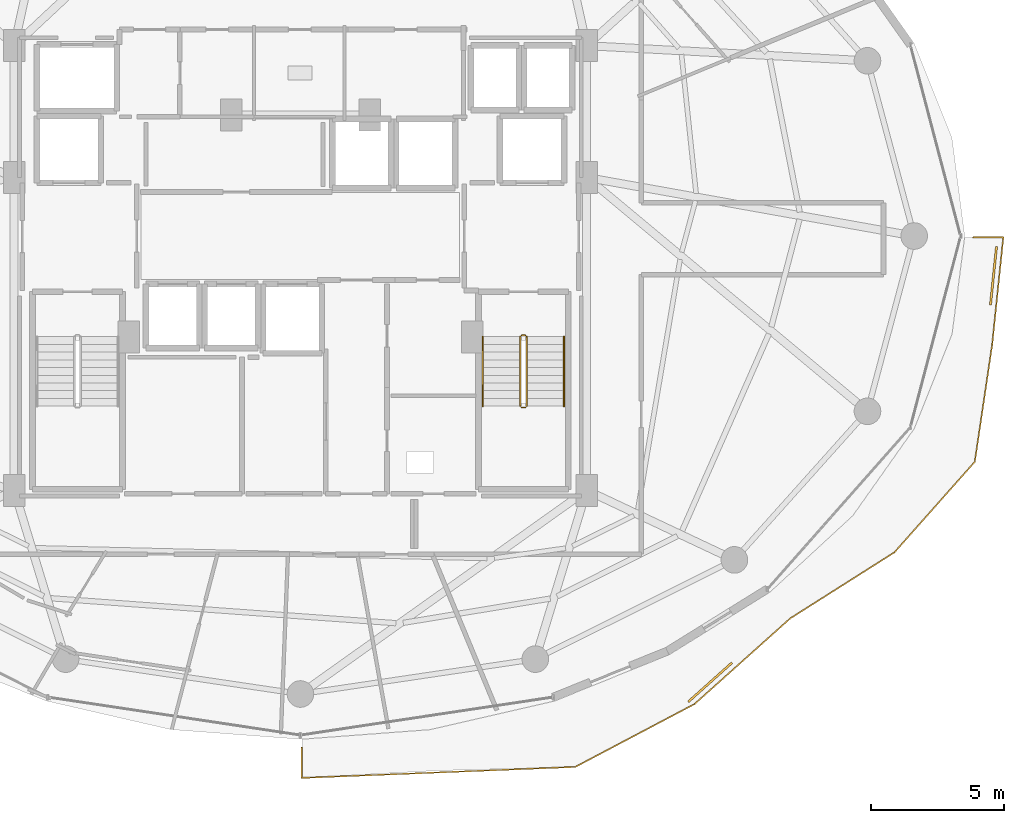
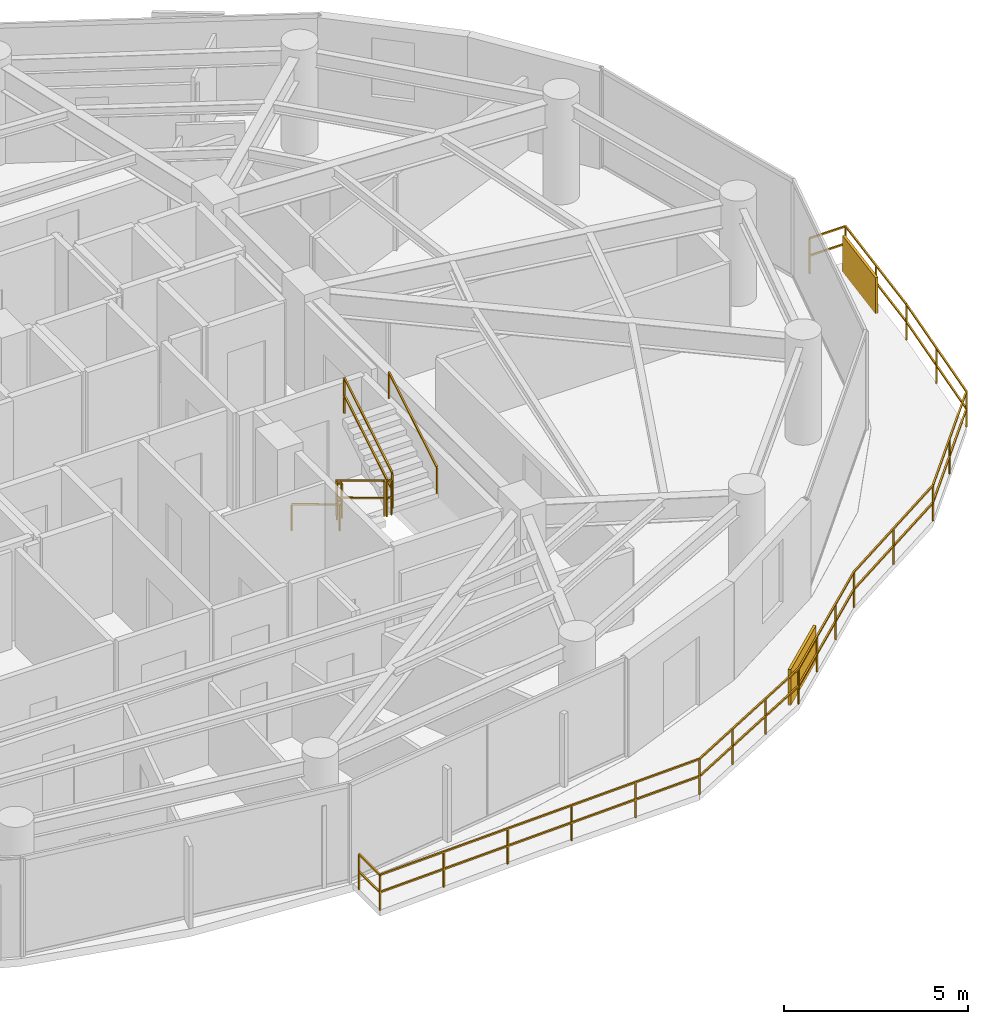
# One storey, part 27 of 29: 8 railings, 2 shading devices.
"""IFC4 building model written with IfcOpenShell, lengths in metres."""

import ifcopenshell
import ifcopenshell.guid

model = None  # the IFC model being written
_history = None  # IfcOwnerHistory: only IFC2X3 demands one
_inside = {}  # id of a spatial element -> (the spatial element, [elements in it])
_under = {}  # id of a project, library or spatial element -> (it, [spatial elements below it])
_declared = {}  # id of a project -> (the project, [libraries it declares])
_typed = {}  # id of a type object -> (the type object, [elements of that type])
_made_of = {}  # id of a material, layer set ... -> (it, [elements and type objects made of it])


def new_model(schema):
    """Start an empty IFC model of exactly this schema.

    Asked for "IFC4X3", IfcOpenShell would pick the latest addendum, in which some entities
    have other attributes; the version numbers below select the first issue.
    IFC2X3 requires an IfcOwnerHistory on every rooted entity: one is made here for all.
    """
    global model, _history
    if schema == "IFC4X3":
        model = ifcopenshell.file(schema_version=(4, 3, 0, 0))
    else:
        model = ifcopenshell.file(schema=schema)
    _inside.clear()
    _under.clear()
    _declared.clear()
    _typed.clear()
    _made_of.clear()
    _history = None
    if model.schema == "IFC2X3":
        org = make("IfcOrganization", Name="unknown")
        user = make(
            "IfcPersonAndOrganization",
            ThePerson=make("IfcPerson", FamilyName="unknown"),
            TheOrganization=org,
        )
        app = make(
            "IfcApplication",
            ApplicationDeveloper=org,
            Version="unknown",
            ApplicationFullName="unknown",
            ApplicationIdentifier="unknown",
        )
        _history = make(
            "IfcOwnerHistory",
            OwningUser=user,
            OwningApplication=app,
            ChangeAction="ADDED",
            CreationDate=0,
        )
    return model


def make(cls, **values):
    """One entity of the class cls with the attributes given. An attribute that is None is left unset."""
    return model.create_entity(
        cls, **{name: value for name, value in values.items() if value is not None}
    )


def rooted(cls, **values):
    """An entity with a GlobalId (a new one), such as an element, a storey or a relation."""
    return make(cls, GlobalId=ifcopenshell.guid.new(), OwnerHistory=_history, **values)


def si_unit(unit_type, name, prefix=None):
    """IfcSIUnit, for example si_unit("LENGTHUNIT", "METRE", prefix="MILLI")."""
    return make("IfcSIUnit", UnitType=unit_type, Prefix=prefix, Name=name)


def assignment(units):
    """IfcUnitAssignment: the units of a project."""
    return None if units is None else make("IfcUnitAssignment", Units=units)


def point(xyz):
    """IfcCartesianPoint."""
    return None if xyz is None else make("IfcCartesianPoint", Coordinates=xyz)


def direction(xyz):
    """IfcDirection."""
    return None if xyz is None else make("IfcDirection", DirectionRatios=xyz)


def frame(location, z_axis=None, x_axis=None):
    """IfcAxis2Placement3D, a coordinate frame: its origin and axes. An axis left out is left unset."""
    return make(
        "IfcAxis2Placement3D",
        Location=point(location),
        Axis=direction(z_axis),
        RefDirection=direction(x_axis),
    )


def frame_2d(location, x_axis=None):
    """IfcAxis2Placement2D, a coordinate frame in the plane: its origin and x axis."""
    return make(
        "IfcAxis2Placement2D", Location=point(location), RefDirection=direction(x_axis)
    )


def origin():
    """The frame at (0, 0, 0) with its axes left unset."""
    return frame((0.0, 0.0, 0.0))


def origin_2d():
    """The frame at (0, 0) in the plane with its x axis left unset."""
    return frame_2d((0.0, 0.0))


def place(relative_to, where):
    """IfcLocalPlacement: puts the frame where relative to a parent placement (None: the world)."""
    return make(
        "IfcLocalPlacement", PlacementRelTo=relative_to, RelativePlacement=where
    )


def context(
    kind, dimensions, precision=None, world=None, true_north=None, identifier=None
):
    """IfcGeometricRepresentationContext, for example the 3D "Model" context."""
    return make(
        "IfcGeometricRepresentationContext",
        ContextIdentifier=identifier,
        ContextType=kind,
        CoordinateSpaceDimension=dimensions,
        Precision=precision,
        WorldCoordinateSystem=world,
        TrueNorth=true_north,
    )


def subcontext(parent, identifier, kind, view, scale=None):
    """IfcGeometricRepresentationSubContext, for example "Body" below "Model"."""
    return make(
        "IfcGeometricRepresentationSubContext",
        ContextIdentifier=identifier,
        ContextType=kind,
        ParentContext=parent,
        TargetScale=scale,
        TargetView=view,
    )


def project(units=None, contexts=None):
    """IfcProject with its units and contexts."""
    return rooted(
        "IfcProject",
        Name="project",
        RepresentationContexts=contexts,
        UnitsInContext=assignment(units),
    )


def spatial(cls, under=None, at=None, **own):
    """A site, building, storey or space (cls), placed at a placement, below another one or the project."""
    s = rooted(cls, ObjectPlacement=at, **own)
    if under is not None:
        _under.setdefault(under.id(), (under, []))[1].append(s)
    return s


def profile(cls, at=None, kind="AREA", **sizes):
    """A parametric profile (cls). Its sizes go by their IFC names, for example OverallWidth=200.0."""
    return make(cls, ProfileType=kind, Position=at, **sizes)


def rectangle(**sizes):
    """IfcRectangleProfileDef."""
    return profile("IfcRectangleProfileDef", **sizes)


def extrude(swept, where, along, depth):
    """IfcExtrudedAreaSolid: the profile swept, set in the frame where, extruded along a direction by depth."""
    return make(
        "IfcExtrudedAreaSolid",
        SweptArea=swept,
        Position=where,
        ExtrudedDirection=direction(along),
        Depth=depth,
    )


def shape(context_of_items, identifier, shape_type, items):
    """IfcShapeRepresentation: the items that make up one representation, for example the "Body"."""
    return make(
        "IfcShapeRepresentation",
        ContextOfItems=context_of_items,
        RepresentationIdentifier=identifier,
        RepresentationType=shape_type,
        Items=items,
    )


def material(Name=None, Category=None):
    """IfcMaterial."""
    return make("IfcMaterial", Name=Name, Category=Category)


def made_of(thing, what):
    """Note that an element or type object is made of a material, layer set ...; save() writes the relation."""
    if what is not None:
        _made_of.setdefault(what.id(), (what, []))[1].append(thing)
    return thing


def type_object(cls, material=None, **own):
    """A type object (cls), such as IfcWallType, which elements share."""
    return made_of(rooted(cls, **own), material)


def element(
    cls,
    number,
    at=None,
    inside=None,
    cuts=None,
    type_object=None,
    material=None,
    context=None,
    identifier="Body",
    shape_type=None,
    held_by="IfcProductDefinitionShape",
    body=None,
    shapes=None,
    **own,
):
    """One element of the class cls, such as IfcWall. Its Tag is "e" and its number.

    at: its placement. inside: the storey or other place that contains it. cuts: it is an
    opening in that element (IfcRelVoidsElement). A single representation is given by context,
    identifier, shape_type and body (its items); several are given by shapes. held_by: the class
    of the entity that holds the representations. save() writes the other relations.
    """
    e = rooted(cls, Tag="e%d" % number, ObjectPlacement=at, **own)
    if body is not None:
        shapes = [shape(context, identifier, shape_type, body)]
    if shapes is not None:
        e.Representation = make(held_by, Representations=shapes)
    if inside is not None:
        _inside.setdefault(inside.id(), (inside, []))[1].append(e)
    if cuts is not None:
        rooted(
            "IfcRelVoidsElement", RelatingBuildingElement=cuts, RelatedOpeningElement=e
        )
    if type_object is not None:
        _typed.setdefault(type_object.id(), (type_object, []))[1].append(e)
    return made_of(e, material)


def aggregate(whole, parts):
    """IfcRelAggregates: a whole, such as a stair, and the parts it consists of."""
    return rooted("IfcRelAggregates", RelatingObject=whole, RelatedObjects=parts)


def save(model, path):
    """Write the relations noted so far, then the file.

    IfcRelAggregates (storeys below a building ...), IfcRelContainedInSpatialStructure (elements
    in a storey), IfcRelDefinesByType, IfcRelAssociatesMaterial and IfcRelDeclares: one each for
    every whole, place, type object, material and project.
    """
    for whole, parts in _under.values():
        aggregate(whole, parts)
    for where, things in _inside.values():
        rooted(
            "IfcRelContainedInSpatialStructure",
            RelatedElements=things,
            RelatingStructure=where,
        )
    for kind, things in _typed.values():
        rooted("IfcRelDefinesByType", RelatedObjects=things, RelatingType=kind)
    for what, things in _made_of.values():
        rooted("IfcRelAssociatesMaterial", RelatedObjects=things, RelatingMaterial=what)
    for by, libraries in _declared.values():
        rooted("IfcRelDeclares", RelatingContext=by, RelatedDefinitions=libraries)
    model.write(path)


model = new_model("IFC4")

# Units and contexts
model_context = context("Model", 3, precision=1e-05, world=origin(), true_north=direction((0.0, 1.0)))
body_context = subcontext(model_context, "Body", "Model", "MODEL_VIEW")
ifc_project = project(units=[si_unit("LENGTHUNIT", "METRE"), si_unit("AREAUNIT", "SQUARE_METRE"), si_unit("VOLUMEUNIT", "CUBIC_METRE"), si_unit("PLANEANGLEUNIT", "RADIAN"), si_unit("MASSUNIT", "GRAM", prefix="KILO")], contexts=[model_context])

# Site, building, storey
site_placement = place(None, origin())
site = spatial("IfcSite", under=ifc_project, at=site_placement, CompositionType="ELEMENT")
building_placement = place(site_placement, origin())
building = spatial("IfcBuilding", under=site, at=building_placement, Name="Vorneva Point Tower", CompositionType="ELEMENT")
storey_placement = place(building_placement, frame((0.0, 0.0, 167.60009765625)))
storey = spatial("IfcBuildingStorey", under=building, at=storey_placement, Name="L45", CompositionType="ELEMENT", Elevation=167.60009765625)

# Railings
ifc_material_1 = material(Name="Pale anodised aluminium", Category="aluminium")
railing_type_1 = type_object("IfcRailingType", Name="RL-BAL-1200", PredefinedType="BALUSTRADE", material=ifc_material_1)
railing_1_placement = place(storey_placement, frame((63.98046875, 21.916259765625, 0.0)))
element("IfcRailing", 1, at=railing_1_placement, inside=storey, type_object=railing_type_1, Name="L45 Wave Balcony Balustrade SE.1", PredefinedType="BALUSTRADE", context=body_context, shape_type="SweptSolid", body=[
    extrude(rectangle(XDim=0.048095703125, YDim=0.048095703125, at=origin_2d()), frame((0.0, 0.0, 1.17578125), z_axis=(0.103424937391, 0.994637261682, 0.0), x_axis=(-0.994637261682, 0.103424937391, 0.0)), (0.0, 0.0, 1.0), 4.055419921875),
    extrude(rectangle(XDim=0.048095703125, YDim=0.048095703125, at=origin_2d()), frame((0.0, 0.0, 0.60009765625), z_axis=(0.103424937391, 0.994637261682, 0.0), x_axis=(-0.994637261682, 0.103424937391, 0.0)), (0.0, 0.0, 1.0), 4.055419921875),
    extrude(rectangle(XDim=0.048095703125, YDim=0.048095703125, at=origin_2d()), frame((0.41943359375, 4.03369140625, 1.17578125), z_axis=(-1.0, 0.0, 0.0), x_axis=(0.0, -1.0, 0.0)), (0.0, 0.0, 1.0), 1.1337890625),
    extrude(rectangle(XDim=0.048095703125, YDim=0.048095703125, at=origin_2d()), frame((0.41943359375, 4.03369140625, 0.60009765625), z_axis=(-1.0, 0.0, 0.0), x_axis=(0.0, -1.0, 0.0)), (0.0, 0.0, 1.0), 1.1337890625),
    extrude(rectangle(XDim=0.0419921875, YDim=0.0419921875, at=origin_2d()), origin(), (0.0, 0.0, 1.0), 1.15185546875),
    extrude(rectangle(XDim=0.0419921875, YDim=0.0419921875, at=origin_2d()), frame((0.209716796875, 2.016845703125, 0.0)), (0.0, 0.0, 1.0), 1.15185546875),
    extrude(rectangle(XDim=0.0419921875, YDim=0.0419921875, at=origin_2d()), frame((0.41943359375, 4.03369140625, 0.0)), (0.0, 0.0, 1.0), 1.15185546875),
    extrude(rectangle(XDim=0.0419921875, YDim=0.0419921875, at=origin_2d()), frame((-0.71435546875, 4.03369140625, 0.0)), (0.0, 0.0, 1.0), 1.15185546875),
])
railing_2_placement = place(storey_placement, frame((38.050048828125, 6.78271484375, 0.0)))
element("IfcRailing", 2, at=railing_2_placement, inside=storey, type_object=railing_type_1, Name="L45 Wave Balcony Balustrade SE.2", PredefinedType="BALUSTRADE", context=body_context, shape_type="SweptSolid", body=[
    extrude(rectangle(XDim=0.048095703125, YDim=0.048095703125, at=origin_2d()), frame((0.0, 0.0, 1.17578125), z_axis=(0.0, -1.0, 0.0), x_axis=(1.0, 0.0, 0.0)), (0.0, 0.0, 1.0), 1.135009765625),
    extrude(rectangle(XDim=0.048095703125, YDim=0.048095703125, at=origin_2d()), frame((0.0, 0.0, 0.60009765625), z_axis=(0.0, -1.0, 0.0), x_axis=(1.0, 0.0, 0.0)), (0.0, 0.0, 1.0), 1.135009765625),
    extrude(rectangle(XDim=0.048095703125, YDim=0.048095703125, at=origin_2d()), frame((0.0, -1.135009765625, 1.17578125), z_axis=(0.999191945424, 0.040192738158, 0.0), x_axis=(-0.040192738158, 0.999191945424, 0.0)), (0.0, 0.0, 1.0), 10.28369140625),
    extrude(rectangle(XDim=0.048095703125, YDim=0.048095703125, at=origin_2d()), frame((0.0, -1.135009765625, 0.60009765625), z_axis=(0.999191945424, 0.040192738158, 0.0), x_axis=(-0.040192738158, 0.999191945424, 0.0)), (0.0, 0.0, 1.0), 10.28369140625),
    extrude(rectangle(XDim=0.048095703125, YDim=0.048095703125, at=origin_2d()), frame((10.275390625, -0.7216796875, 1.17578125), z_axis=(0.884464909332, 0.466606712512, 0.0), x_axis=(-0.466606712512, 0.884464909332, 0.0)), (0.0, 0.0, 1.0), 5.063232421875),
    extrude(rectangle(XDim=0.048095703125, YDim=0.048095703125, at=origin_2d()), frame((10.275390625, -0.7216796875, 0.60009765625), z_axis=(0.884464909332, 0.466606712512, 0.0), x_axis=(-0.466606712512, 0.884464909332, 0.0)), (0.0, 0.0, 1.0), 5.063232421875),
    extrude(rectangle(XDim=0.048095703125, YDim=0.048095703125, at=origin_2d()), frame((14.753662109375, 1.640869140625, 1.17578125), z_axis=(0.745181726232, 0.666861451045, 0.0), x_axis=(-0.666861451045, 0.745181726232, 0.0)), (0.0, 0.0, 1.0), 4.822265625),
    extrude(rectangle(XDim=0.048095703125, YDim=0.048095703125, at=origin_2d()), frame((14.753662109375, 1.640869140625, 0.60009765625), z_axis=(0.745181726232, 0.666861451045, 0.0), x_axis=(-0.666861451045, 0.745181726232, 0.0)), (0.0, 0.0, 1.0), 4.822265625),
    extrude(rectangle(XDim=0.048095703125, YDim=0.048095703125, at=origin_2d()), frame((18.34716796875, 4.856689453125, 1.17578125), z_axis=(0.844638774344, 0.535336661246, 0.0), x_axis=(-0.535336661246, 0.844638774344, 0.0)), (0.0, 0.0, 1.0), 4.632568359375),
    extrude(rectangle(XDim=0.048095703125, YDim=0.048095703125, at=origin_2d()), frame((18.34716796875, 4.856689453125, 0.60009765625), z_axis=(0.844638774344, 0.535336661246, 0.0), x_axis=(-0.535336661246, 0.844638774344, 0.0)), (0.0, 0.0, 1.0), 4.632568359375),
    extrude(rectangle(XDim=0.048095703125, YDim=0.048095703125, at=origin_2d()), frame((22.260009765625, 7.336669921875, 1.17578125), z_axis=(0.663743942906, 0.747959877437, 0.0), x_axis=(-0.747959877437, 0.663743942906, 0.0)), (0.0, 0.0, 1.0), 4.548583984375),
    extrude(rectangle(XDim=0.048095703125, YDim=0.048095703125, at=origin_2d()), frame((22.260009765625, 7.336669921875, 0.60009765625), z_axis=(0.663743942906, 0.747959877437, 0.0), x_axis=(-0.747959877437, 0.663743942906, 0.0)), (0.0, 0.0, 1.0), 4.548583984375),
    extrude(rectangle(XDim=0.048095703125, YDim=0.048095703125, at=origin_2d()), frame((25.279052734375, 10.73876953125, 1.17578125), z_axis=(0.146612390551, 0.989194018854, 0.0), x_axis=(-0.989194018854, 0.146612390551, 0.0)), (0.0, 0.0, 1.0), 4.44287109375),
    extrude(rectangle(XDim=0.048095703125, YDim=0.048095703125, at=origin_2d()), frame((25.279052734375, 10.73876953125, 0.60009765625), z_axis=(0.146612390551, 0.989194018854, 0.0), x_axis=(-0.989194018854, 0.146612390551, 0.0)), (0.0, 0.0, 1.0), 4.44287109375),
    extrude(rectangle(XDim=0.0419921875, YDim=0.0419921875, at=origin_2d()), origin(), (0.0, 0.0, 1.0), 1.15185546875),
    extrude(rectangle(XDim=0.0419921875, YDim=0.0419921875, at=origin_2d()), frame((0.0, -1.135009765625, 0.0)), (0.0, 0.0, 1.0), 1.15185546875),
    extrude(rectangle(XDim=0.0419921875, YDim=0.0419921875, at=origin_2d()), frame((2.05517578125, -1.05224609375, 0.0)), (0.0, 0.0, 1.0), 1.15185546875),
    extrude(rectangle(XDim=0.0419921875, YDim=0.0419921875, at=origin_2d()), frame((4.110107421875, -0.9697265625, 0.0)), (0.0, 0.0, 1.0), 1.15185546875),
    extrude(rectangle(XDim=0.0419921875, YDim=0.0419921875, at=origin_2d()), frame((6.165283203125, -0.886962890625, 0.0)), (0.0, 0.0, 1.0), 1.15185546875),
    extrude(rectangle(XDim=0.0419921875, YDim=0.0419921875, at=origin_2d()), frame((8.22021484375, -0.804443359375, 0.0)), (0.0, 0.0, 1.0), 1.15185546875),
    extrude(rectangle(XDim=0.0419921875, YDim=0.0419921875, at=origin_2d()), frame((10.275390625, -0.7216796875, 0.0)), (0.0, 0.0, 1.0), 1.15185546875),
    extrude(rectangle(XDim=0.0419921875, YDim=0.0419921875, at=origin_2d()), frame((11.76806640625, 0.06591796875, 0.0)), (0.0, 0.0, 1.0), 1.15185546875),
    extrude(rectangle(XDim=0.0419921875, YDim=0.0419921875, at=origin_2d()), frame((13.260986328125, 0.853271484375, 0.0)), (0.0, 0.0, 1.0), 1.15185546875),
    extrude(rectangle(XDim=0.0419921875, YDim=0.0419921875, at=origin_2d()), frame((14.753662109375, 1.640869140625, 0.0)), (0.0, 0.0, 1.0), 1.15185546875),
    extrude(rectangle(XDim=0.0419921875, YDim=0.0419921875, at=origin_2d()), frame((15.951416015625, 2.712890625, 0.0)), (0.0, 0.0, 1.0), 1.15185546875),
    extrude(rectangle(XDim=0.0419921875, YDim=0.0419921875, at=origin_2d()), frame((17.1494140625, 3.78466796875, 0.0)), (0.0, 0.0, 1.0), 1.15185546875),
    extrude(rectangle(XDim=0.0419921875, YDim=0.0419921875, at=origin_2d()), frame((18.34716796875, 4.856689453125, 0.0)), (0.0, 0.0, 1.0), 1.15185546875),
    extrude(rectangle(XDim=0.0419921875, YDim=0.0419921875, at=origin_2d()), frame((20.3037109375, 6.0966796875, 0.0)), (0.0, 0.0, 1.0), 1.15185546875),
    extrude(rectangle(XDim=0.0419921875, YDim=0.0419921875, at=origin_2d()), frame((22.260009765625, 7.336669921875, 0.0)), (0.0, 0.0, 1.0), 1.15185546875),
    extrude(rectangle(XDim=0.0419921875, YDim=0.0419921875, at=origin_2d()), frame((23.76953125, 9.03759765625, 0.0)), (0.0, 0.0, 1.0), 1.15185546875),
    extrude(rectangle(XDim=0.0419921875, YDim=0.0419921875, at=origin_2d()), frame((25.279052734375, 10.73876953125, 0.0)), (0.0, 0.0, 1.0), 1.15185546875),
    extrude(rectangle(XDim=0.0419921875, YDim=0.0419921875, at=origin_2d()), frame((25.604736328125, 12.93603515625, 0.0)), (0.0, 0.0, 1.0), 1.15185546875),
    extrude(rectangle(XDim=0.0419921875, YDim=0.0419921875, at=origin_2d()), frame((25.930419921875, 15.133544921875, 0.0)), (0.0, 0.0, 1.0), 1.15185546875),
])
ifc_material_2 = material(Name="Brushed stainless steel S304", Category="steel")
railing_type_2 = type_object("IfcRailingType", Name="RL-HND-920", PredefinedType="HANDRAIL", material=ifc_material_2)
railing_3_placement = place(storey_placement, frame((44.85009765625, 22.219970703125, 0.1748046875)))
element("IfcRailing", 3, at=railing_3_placement, inside=storey, type_object=railing_type_2, Name="L45 ST2 stair handrail 1", PredefinedType="HANDRAIL", context=body_context, shape_type="SweptSolid", body=[
    extrude(rectangle(XDim=0.048095703125, YDim=0.048095703125, at=origin_2d()), frame((0.0, 0.0, 0.8759765625), z_axis=(0.0, -0.856147343639, 0.516731773728), x_axis=(1.0, 0.0, 0.0)), (0.0, 0.0, 1.0), 3.04833984375),
    extrude(rectangle(XDim=0.0419921875, YDim=0.0419921875, at=origin_2d()), origin(), (0.0, 0.0, 1.0), 0.851806640625),
    extrude(rectangle(XDim=0.0419921875, YDim=0.0419921875, at=origin_2d()), frame((0.0, -2.60986328125, 1.5751953125)), (0.0, 0.0, 1.0), 0.851806640625),
])
railing_4_placement = place(storey_placement, frame((47.89990234375, 19.610107421875, 1.9248046875)))
element("IfcRailing", 4, at=railing_4_placement, inside=storey, type_object=railing_type_2, Name="L45 ST2 stair handrail 2", PredefinedType="HANDRAIL", context=body_context, shape_type="SweptSolid", body=[
    extrude(rectangle(XDim=0.048095703125, YDim=0.048095703125, at=origin_2d()), frame((0.0, 0.0, 0.8759765625), z_axis=(0.0, 0.856147343639, 0.516731773728), x_axis=(-1.0, 0.0, 0.0)), (0.0, 0.0, 1.0), 3.04833984375),
    extrude(rectangle(XDim=0.0419921875, YDim=0.0419921875, at=origin_2d()), origin(), (0.0, 0.0, 1.0), 0.851806640625),
    extrude(rectangle(XDim=0.0419921875, YDim=0.0419921875, at=origin_2d()), frame((0.0, 2.60986328125, 1.5751953125)), (0.0, 0.0, 1.0), 0.851806640625),
])
railing_type_3 = type_object("IfcRailingType", Name="RL-STG-1100", PredefinedType="GUARDRAIL", material=ifc_material_2)
railing_5_placement = place(storey_placement, frame((46.25, 22.219970703125, 0.1748046875)))
element("IfcRailing", 5, at=railing_5_placement, inside=storey, type_object=railing_type_3, Name="L45 ST2 stair guard 1", PredefinedType="GUARDRAIL", context=body_context, shape_type="SweptSolid", body=[
    extrude(rectangle(XDim=0.048095703125, YDim=0.048095703125, at=origin_2d()), frame((0.0, 0.0, 1.17578125), z_axis=(0.0, -0.856147343639, 0.516731773728), x_axis=(1.0, 0.0, 0.0)), (0.0, 0.0, 1.0), 3.04833984375),
    extrude(rectangle(XDim=0.048095703125, YDim=0.048095703125, at=origin_2d()), frame((0.0, 0.0, 0.60009765625), z_axis=(0.0, -0.856147343639, 0.516731773728), x_axis=(1.0, 0.0, 0.0)), (0.0, 0.0, 1.0), 3.04833984375),
    extrude(rectangle(XDim=0.0419921875, YDim=0.0419921875, at=origin_2d()), origin(), (0.0, 0.0, 1.0), 1.15185546875),
    extrude(rectangle(XDim=0.0419921875, YDim=0.0419921875, at=origin_2d()), frame((0.0, -2.60986328125, 1.5751953125)), (0.0, 0.0, 1.0), 1.15185546875),
])
railing_6_placement = place(storey_placement, frame((46.300048828125, 19.56005859375, 1.75)))
element("IfcRailing", 6, at=railing_6_placement, inside=storey, type_object=railing_type_3, Name="L45 ST2 stair guard 2", PredefinedType="GUARDRAIL", context=body_context, shape_type="SweptSolid", body=[
    extrude(rectangle(XDim=0.048095703125, YDim=0.048095703125, at=origin_2d()), frame((0.0, 0.0, 1.17578125), z_axis=(1.0, 0.0, 0.0), x_axis=(0.0, 1.0, 0.0)), (0.0, 0.0, 1.0), 0.14990234375),
    extrude(rectangle(XDim=0.048095703125, YDim=0.048095703125, at=origin_2d()), frame((0.0, 0.0, 0.60009765625), z_axis=(1.0, 0.0, 0.0), x_axis=(0.0, 1.0, 0.0)), (0.0, 0.0, 1.0), 0.14990234375),
    extrude(rectangle(XDim=0.0419921875, YDim=0.0419921875, at=origin_2d()), origin(), (0.0, 0.0, 1.0), 1.15185546875),
    extrude(rectangle(XDim=0.0419921875, YDim=0.0419921875, at=origin_2d()), frame((0.14990234375, 0.0, 0.0)), (0.0, 0.0, 1.0), 1.15185546875),
])
railing_7_placement = place(storey_placement, frame((46.5, 19.610107421875, 1.9248046875)))
element("IfcRailing", 7, at=railing_7_placement, inside=storey, type_object=railing_type_3, Name="L45 ST2 stair guard 3", PredefinedType="GUARDRAIL", context=body_context, shape_type="SweptSolid", body=[
    extrude(rectangle(XDim=0.048095703125, YDim=0.048095703125, at=origin_2d()), frame((0.0, 0.0, 1.17578125), z_axis=(0.0, 0.856147343639, 0.516731773728), x_axis=(-1.0, 0.0, 0.0)), (0.0, 0.0, 1.0), 3.04833984375),
    extrude(rectangle(XDim=0.048095703125, YDim=0.048095703125, at=origin_2d()), frame((0.0, 0.0, 0.60009765625), z_axis=(0.0, 0.856147343639, 0.516731773728), x_axis=(-1.0, 0.0, 0.0)), (0.0, 0.0, 1.0), 3.04833984375),
    extrude(rectangle(XDim=0.0419921875, YDim=0.0419921875, at=origin_2d()), origin(), (0.0, 0.0, 1.0), 1.15185546875),
    extrude(rectangle(XDim=0.0419921875, YDim=0.0419921875, at=origin_2d()), frame((0.0, 2.60986328125, 1.5751953125)), (0.0, 0.0, 1.0), 1.15185546875),
])
railing_8_placement = place(storey_placement, frame((46.300048828125, 22.27001953125, 0.0)))
element("IfcRailing", 8, at=railing_8_placement, inside=storey, type_object=railing_type_3, Name="L45 ST2 stair guard 4", PredefinedType="GUARDRAIL", context=body_context, shape_type="SweptSolid", body=[
    extrude(rectangle(XDim=0.048095703125, YDim=0.048095703125, at=origin_2d()), frame((0.0, 0.0, 1.17578125), z_axis=(1.0, 0.0, 0.0), x_axis=(0.0, 1.0, 0.0)), (0.0, 0.0, 1.0), 0.14990234375),
    extrude(rectangle(XDim=0.048095703125, YDim=0.048095703125, at=origin_2d()), frame((0.0, 0.0, 0.60009765625), z_axis=(1.0, 0.0, 0.0), x_axis=(0.0, 1.0, 0.0)), (0.0, 0.0, 1.0), 0.14990234375),
    extrude(rectangle(XDim=0.0419921875, YDim=0.0419921875, at=origin_2d()), origin(), (0.0, 0.0, 1.0), 1.15185546875),
    extrude(rectangle(XDim=0.0419921875, YDim=0.0419921875, at=origin_2d()), frame((0.14990234375, 0.0, 0.0)), (0.0, 0.0, 1.0), 1.15185546875),
])

# Shading devices
shading_device_type = type_object("IfcShadingDeviceType", Name="SHD-JAL-1200", PredefinedType="JALOUSIE", material=ifc_material_1)
for number, where, z_axis, x_axis, name in (
    (9, (64.029052734375, 24.509521484375, -0.02001953125), (0.0, 0.0, 1.0), (0.103400146944, 0.994639839144, 0.0), "L45 Balcony Vertical-Greenery Planter Screen SE.1"),
    (10, (53.386474609375, 9.240234375, -0.02001953125), (0.0, 0.0, 1.0), (0.745173460098, 0.666870687889, 0.0), "L45 Balcony Vertical-Greenery Planter Screen SE.2"),
):
    element("IfcShadingDevice", number, at=place(storey_placement, frame(where, z_axis=z_axis, x_axis=x_axis)), inside=storey, type_object=shading_device_type, Name=name, PredefinedType="JALOUSIE", context=body_context, shape_type="SweptSolid", body=[
        extrude(rectangle(XDim=2.199951171875, YDim=0.080078125, at=origin_2d()), origin(), (0.0, 0.0, 1.0), 1.199951171875),
    ])

save(model, "model.ifc")
